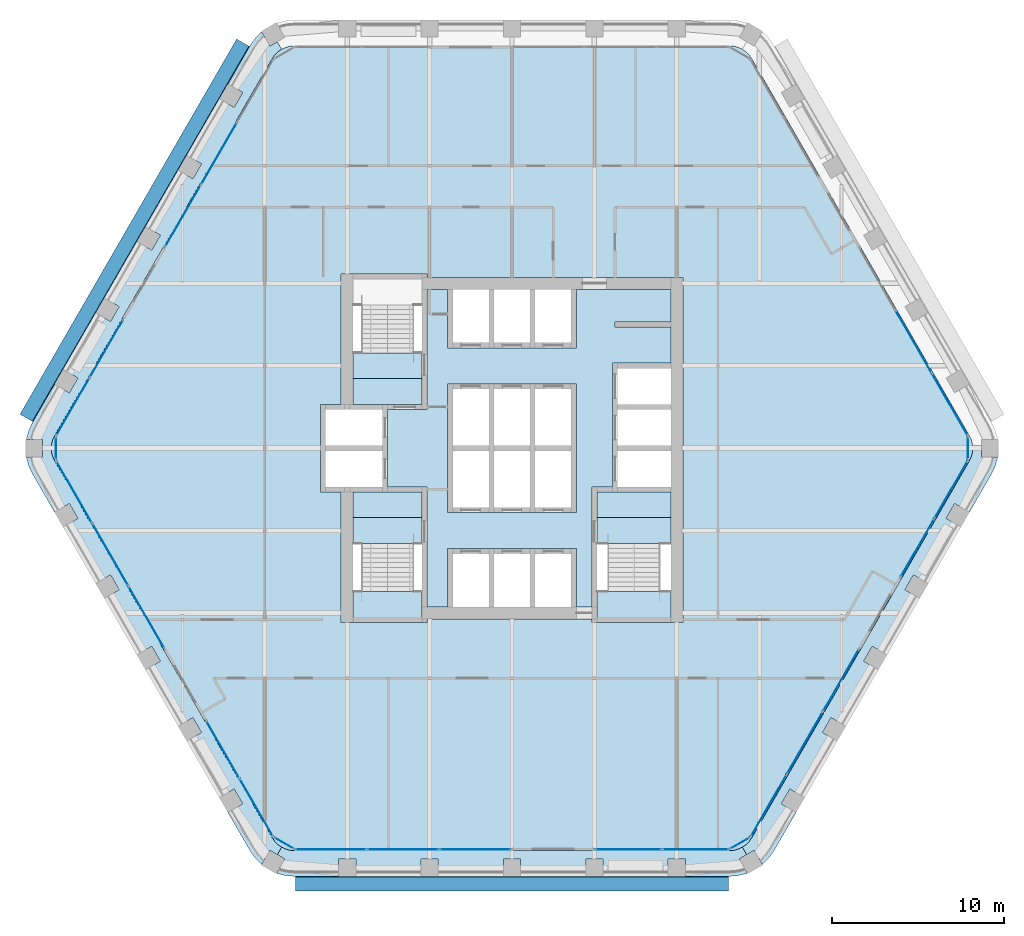
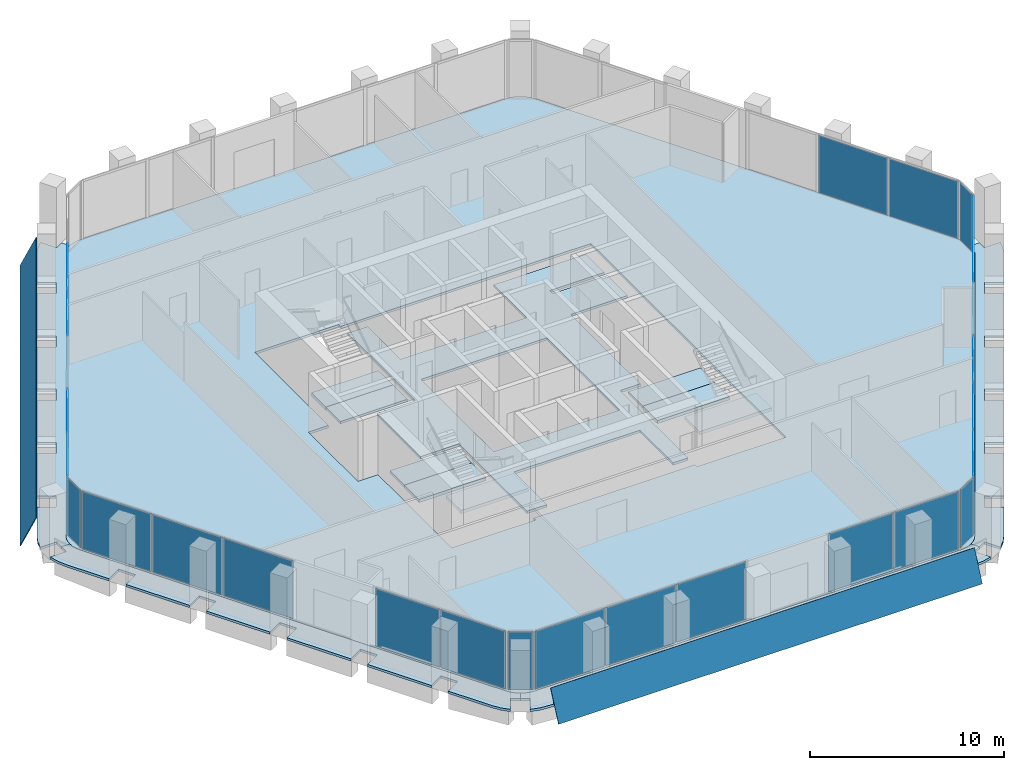
# One storey, part 7 of 15: 27 plates, 14 slabs, 16 elements without a shape of their own.
"""IFC4 building model written with IfcOpenShell, lengths in metres."""

import ifcopenshell
import ifcopenshell.guid

model = None  # the IFC model being written
_history = None  # IfcOwnerHistory: only IFC2X3 demands one
_inside = {}  # id of a spatial element -> (the spatial element, [elements in it])
_under = {}  # id of a project, library or spatial element -> (it, [spatial elements below it])
_declared = {}  # id of a project -> (the project, [libraries it declares])
_typed = {}  # id of a type object -> (the type object, [elements of that type])
_made_of = {}  # id of a material, layer set ... -> (it, [elements and type objects made of it])


def new_model(schema):
    """Start an empty IFC model of exactly this schema.

    Asked for "IFC4X3", IfcOpenShell would pick the latest addendum, in which some entities
    have other attributes; the version numbers below select the first issue.
    IFC2X3 requires an IfcOwnerHistory on every rooted entity: one is made here for all.
    """
    global model, _history
    if schema == "IFC4X3":
        model = ifcopenshell.file(schema_version=(4, 3, 0, 0))
    else:
        model = ifcopenshell.file(schema=schema)
    _inside.clear()
    _under.clear()
    _declared.clear()
    _typed.clear()
    _made_of.clear()
    _history = None
    if model.schema == "IFC2X3":
        org = make("IfcOrganization", Name="unknown")
        user = make(
            "IfcPersonAndOrganization",
            ThePerson=make("IfcPerson", FamilyName="unknown"),
            TheOrganization=org,
        )
        app = make(
            "IfcApplication",
            ApplicationDeveloper=org,
            Version="unknown",
            ApplicationFullName="unknown",
            ApplicationIdentifier="unknown",
        )
        _history = make(
            "IfcOwnerHistory",
            OwningUser=user,
            OwningApplication=app,
            ChangeAction="ADDED",
            CreationDate=0,
        )
    return model


def make(cls, **values):
    """One entity of the class cls with the attributes given. An attribute that is None is left unset."""
    return model.create_entity(
        cls, **{name: value for name, value in values.items() if value is not None}
    )


def rooted(cls, **values):
    """An entity with a GlobalId (a new one), such as an element, a storey or a relation."""
    return make(cls, GlobalId=ifcopenshell.guid.new(), OwnerHistory=_history, **values)


def si_unit(unit_type, name, prefix=None):
    """IfcSIUnit, for example si_unit("LENGTHUNIT", "METRE", prefix="MILLI")."""
    return make("IfcSIUnit", UnitType=unit_type, Prefix=prefix, Name=name)


def assignment(units):
    """IfcUnitAssignment: the units of a project."""
    return None if units is None else make("IfcUnitAssignment", Units=units)


def point(xyz):
    """IfcCartesianPoint."""
    return None if xyz is None else make("IfcCartesianPoint", Coordinates=xyz)


def direction(xyz):
    """IfcDirection."""
    return None if xyz is None else make("IfcDirection", DirectionRatios=xyz)


def frame(location, z_axis=None, x_axis=None):
    """IfcAxis2Placement3D, a coordinate frame: its origin and axes. An axis left out is left unset."""
    return make(
        "IfcAxis2Placement3D",
        Location=point(location),
        Axis=direction(z_axis),
        RefDirection=direction(x_axis),
    )


def frame_2d(location, x_axis=None):
    """IfcAxis2Placement2D, a coordinate frame in the plane: its origin and x axis."""
    return make(
        "IfcAxis2Placement2D", Location=point(location), RefDirection=direction(x_axis)
    )


def origin():
    """The frame at (0, 0, 0) with its axes left unset."""
    return frame((0.0, 0.0, 0.0))


def origin_2d():
    """The frame at (0, 0) in the plane with its x axis left unset."""
    return frame_2d((0.0, 0.0))


def place(relative_to, where):
    """IfcLocalPlacement: puts the frame where relative to a parent placement (None: the world)."""
    return make(
        "IfcLocalPlacement", PlacementRelTo=relative_to, RelativePlacement=where
    )


def context(
    kind, dimensions, precision=None, world=None, true_north=None, identifier=None
):
    """IfcGeometricRepresentationContext, for example the 3D "Model" context."""
    return make(
        "IfcGeometricRepresentationContext",
        ContextIdentifier=identifier,
        ContextType=kind,
        CoordinateSpaceDimension=dimensions,
        Precision=precision,
        WorldCoordinateSystem=world,
        TrueNorth=true_north,
    )


def subcontext(parent, identifier, kind, view, scale=None):
    """IfcGeometricRepresentationSubContext, for example "Body" below "Model"."""
    return make(
        "IfcGeometricRepresentationSubContext",
        ContextIdentifier=identifier,
        ContextType=kind,
        ParentContext=parent,
        TargetScale=scale,
        TargetView=view,
    )


def project(units=None, contexts=None):
    """IfcProject with its units and contexts."""
    return rooted(
        "IfcProject",
        Name="project",
        RepresentationContexts=contexts,
        UnitsInContext=assignment(units),
    )


def spatial(cls, under=None, at=None, **own):
    """A site, building, storey or space (cls), placed at a placement, below another one or the project."""
    s = rooted(cls, ObjectPlacement=at, **own)
    if under is not None:
        _under.setdefault(under.id(), (under, []))[1].append(s)
    return s


def polyline(points):
    """IfcPolyline through the points."""
    return make("IfcPolyline", Points=[point(p) for p in points])


def profile(cls, at=None, kind="AREA", **sizes):
    """A parametric profile (cls). Its sizes go by their IFC names, for example OverallWidth=200.0."""
    return make(cls, ProfileType=kind, Position=at, **sizes)


def rectangle(**sizes):
    """IfcRectangleProfileDef."""
    return profile("IfcRectangleProfileDef", **sizes)


def outline(outer, holes=None, kind="AREA"):
    """IfcArbitraryClosedProfileDef: a profile drawn as a closed curve; with holes, ...WithVoids."""
    if holes is None:
        return make("IfcArbitraryClosedProfileDef", ProfileType=kind, OuterCurve=outer)
    return make(
        "IfcArbitraryProfileDefWithVoids",
        ProfileType=kind,
        OuterCurve=outer,
        InnerCurves=holes,
    )


def extrude(swept, where, along, depth):
    """IfcExtrudedAreaSolid: the profile swept, set in the frame where, extruded along a direction by depth."""
    return make(
        "IfcExtrudedAreaSolid",
        SweptArea=swept,
        Position=where,
        ExtrudedDirection=direction(along),
        Depth=depth,
    )


def shape(context_of_items, identifier, shape_type, items):
    """IfcShapeRepresentation: the items that make up one representation, for example the "Body"."""
    return make(
        "IfcShapeRepresentation",
        ContextOfItems=context_of_items,
        RepresentationIdentifier=identifier,
        RepresentationType=shape_type,
        Items=items,
    )


def material(Name=None, Category=None):
    """IfcMaterial."""
    return make("IfcMaterial", Name=Name, Category=Category)


def layer(
    of_material, thickness, ventilated=None, Name=None, Category=None, Priority=None
):
    """IfcMaterialLayer: one layer of a wall or slab, of a material (None: an air gap)."""
    return make(
        "IfcMaterialLayer",
        Material=of_material,
        LayerThickness=thickness,
        IsVentilated=ventilated,
        Name=Name,
        Category=Category,
        Priority=Priority,
    )


def layer_set(layers, Name=None):
    """IfcMaterialLayerSet."""
    return make("IfcMaterialLayerSet", MaterialLayers=layers, LayerSetName=Name)


def made_of(thing, what):
    """Note that an element or type object is made of a material, layer set ...; save() writes the relation."""
    if what is not None:
        _made_of.setdefault(what.id(), (what, []))[1].append(thing)
    return thing


def type_object(cls, material=None, **own):
    """A type object (cls), such as IfcWallType, which elements share."""
    return made_of(rooted(cls, **own), material)


def element(
    cls,
    number,
    at=None,
    inside=None,
    cuts=None,
    type_object=None,
    material=None,
    context=None,
    identifier="Body",
    shape_type=None,
    held_by="IfcProductDefinitionShape",
    body=None,
    shapes=None,
    **own,
):
    """One element of the class cls, such as IfcWall. Its Tag is "e" and its number.

    at: its placement. inside: the storey or other place that contains it. cuts: it is an
    opening in that element (IfcRelVoidsElement). A single representation is given by context,
    identifier, shape_type and body (its items); several are given by shapes. held_by: the class
    of the entity that holds the representations. save() writes the other relations.
    """
    e = rooted(cls, Tag="e%d" % number, ObjectPlacement=at, **own)
    if body is not None:
        shapes = [shape(context, identifier, shape_type, body)]
    if shapes is not None:
        e.Representation = make(held_by, Representations=shapes)
    if inside is not None:
        _inside.setdefault(inside.id(), (inside, []))[1].append(e)
    if cuts is not None:
        rooted(
            "IfcRelVoidsElement", RelatingBuildingElement=cuts, RelatedOpeningElement=e
        )
    if type_object is not None:
        _typed.setdefault(type_object.id(), (type_object, []))[1].append(e)
    return made_of(e, material)


def aggregate(whole, parts):
    """IfcRelAggregates: a whole, such as a stair, and the parts it consists of."""
    return rooted("IfcRelAggregates", RelatingObject=whole, RelatedObjects=parts)


def save(model, path):
    """Write the relations noted so far, then the file.

    IfcRelAggregates (storeys below a building ...), IfcRelContainedInSpatialStructure (elements
    in a storey), IfcRelDefinesByType, IfcRelAssociatesMaterial and IfcRelDeclares: one each for
    every whole, place, type object, material and project.
    """
    for whole, parts in _under.values():
        aggregate(whole, parts)
    for where, things in _inside.values():
        rooted(
            "IfcRelContainedInSpatialStructure",
            RelatedElements=things,
            RelatingStructure=where,
        )
    for kind, things in _typed.values():
        rooted("IfcRelDefinesByType", RelatedObjects=things, RelatingType=kind)
    for what, things in _made_of.values():
        rooted("IfcRelAssociatesMaterial", RelatedObjects=things, RelatingMaterial=what)
    for by, libraries in _declared.values():
        rooted("IfcRelDeclares", RelatingContext=by, RelatedDefinitions=libraries)
    model.write(path)


model = new_model("IFC4")

# Units and contexts
model_context = context("Model", 3, precision=1e-05, world=origin(), true_north=direction((0.0, 1.0)))
body_context = subcontext(model_context, "Body", "Model", "MODEL_VIEW")
ifc_project = project(units=[si_unit("LENGTHUNIT", "METRE"), si_unit("AREAUNIT", "SQUARE_METRE"), si_unit("VOLUMEUNIT", "CUBIC_METRE"), si_unit("PLANEANGLEUNIT", "RADIAN"), si_unit("MASSUNIT", "GRAM", prefix="KILO")], contexts=[model_context])

# Site, building, storey
site_placement = place(None, origin())
site = spatial("IfcSite", under=ifc_project, at=site_placement, CompositionType="ELEMENT")
building_placement = place(site_placement, origin())
building = spatial("IfcBuilding", under=site, at=building_placement, Name="Kolab Exchange Tower", CompositionType="ELEMENT")
storey_placement = place(building_placement, frame((0.0, 0.0, 158.300048828125)))
storey = spatial("IfcBuildingStorey", under=building, at=storey_placement, Name="L32", CompositionType="ELEMENT", Elevation=158.300048828125)

# Slabs
ifc_material_1 = material(Name="Concrete C35/45", Category="concrete")
ifc_layer_1 = layer(ifc_material_1, 0.14990234375)
ifc_layer_set_1 = layer_set([ifc_layer_1], Name="Concrete C35/45")
slab_type_1 = type_object("IfcSlabType", Name="FLOOR SLAB 150", PredefinedType="FLOOR", material=ifc_layer_set_1)
slab_1_placement = place(storey_placement, frame((0.0, 0.0, -0.150146484375)))
element("IfcSlab", 1, at=slab_1_placement, inside=storey, type_object=slab_type_1, Name="slab/L32/floor/0", PredefinedType="FLOOR", context=body_context, shape_type="SweptSolid", body=[
    extrude(outline(polyline([(13.967041015625, -22.691650390625), (26.635009765625, -0.75), (26.745361328125, -0.512939453125), (26.81298828125, -0.260498046875), (26.8359375, 0.0), (26.81298828125, 0.260498046875), (26.745361328125, 0.512939453125), (26.635009765625, 0.75), (13.967041015625, 22.691650390625), (13.81689453125, 22.90576171875), (13.632080078125, 23.090576171875), (13.41796875, 23.240478515625), (13.180908203125, 23.35107421875), (12.928466796875, 23.418701171875), (12.66796875, 23.441650390625), (-12.66796875, 23.441650390625), (-12.928466796875, 23.418701171875), (-13.180908203125, 23.35107421875), (-13.41796875, 23.240478515625), (-13.632080078125, 23.090576171875), (-13.81689453125, 22.90576171875), (-13.967041015625, 22.691650390625), (-26.635009765625, 0.75), (-26.745361328125, 0.512939453125), (-26.81298828125, 0.260498046875), (-26.8359375, 0.0), (-26.81298828125, -0.260498046875), (-26.745361328125, -0.512939453125), (-26.635009765625, -0.75), (-13.967041015625, -22.691650390625), (-13.81689453125, -22.90576171875), (-13.632080078125, -23.090576171875), (-13.41796875, -23.240478515625), (-13.180908203125, -23.35107421875), (-12.928466796875, -23.418701171875), (-12.66796875, -23.441650390625), (12.66796875, -23.441650390625), (12.928466796875, -23.418701171875), (13.180908203125, -23.35107421875), (13.41796875, -23.240478515625), (13.632080078125, -23.090576171875), (13.81689453125, -22.90576171875), (13.967041015625, -22.691650390625)]), holes=[polyline([(-9.25, -10.14990234375), (-9.949951171875, -10.14990234375), (-9.949951171875, -2.550048828125), (-10.85009765625, -2.550048828125), (-11.14990234375, -2.550048828125), (-11.14990234375, 2.550048828125), (-10.85009765625, 2.550048828125), (-9.949951171875, 2.550048828125), (-9.949951171875, 10.14990234375), (-9.25, 10.14990234375), (-5.25, 10.14990234375), (-4.949951171875, 10.14990234375), (-4.949951171875, 9.949951171875), (9.25, 9.949951171875), (9.949951171875, 9.949951171875), (9.949951171875, -10.14990234375), (9.25, -10.14990234375), (4.949951171875, -10.14990234375), (4.64990234375, -10.14990234375), (4.64990234375, -9.949951171875), (-4.949951171875, -9.949951171875), (-4.949951171875, -10.14990234375), (-5.25, -10.14990234375), (-9.25, -10.14990234375)])]), origin(), (0.0, 0.0, 1.0), 0.150146484375),
])
slab_2_placement = place(storey_placement, frame((0.0, 0.0, -0.150146484375)))
element("IfcSlab", 2, at=slab_2_placement, inside=storey, type_object=slab_type_1, Name="slab/L32/floor/1", PredefinedType="FLOOR", context=body_context, shape_type="SweptSolid", body=[
    extrude(outline(polyline([(-4.949951171875, 9.25), (-4.949951171875, 2.25), (-5.25, 2.25), (-7.25, 2.25), (-7.25, -2.25), (-5.25, -2.25), (-4.949951171875, -2.25), (-4.949951171875, -9.25), (-3.75, -9.25), (-3.75, -5.85009765625), (-3.449951171875, -5.85009765625), (-1.35009765625, -5.85009765625), (-1.050048828125, -5.85009765625), (1.050048828125, -5.85009765625), (1.35009765625, -5.85009765625), (3.449951171875, -5.85009765625), (3.75, -5.85009765625), (3.75, -9.25), (4.64990234375, -9.25), (4.64990234375, -2.25), (4.949951171875, -2.25), (5.85009765625, -2.25), (5.85009765625, 4.949951171875), (6.14990234375, 4.949951171875), (9.25, 4.949951171875), (9.25, 7.050048828125), (6.0, 7.050048828125), (6.0, 7.35009765625), (9.25, 7.35009765625), (9.25, 9.25), (3.75, 9.25), (3.75, 5.85009765625), (3.449951171875, 5.85009765625), (1.35009765625, 5.85009765625), (1.050048828125, 5.85009765625), (-1.050048828125, 5.85009765625), (-1.35009765625, 5.85009765625), (-3.449951171875, 5.85009765625), (-3.75, 5.85009765625), (-3.75, 9.25), (-4.949951171875, 9.25)]), holes=[polyline([(-3.449951171875, -3.75), (-3.75, -3.75), (-3.75, 3.75), (-3.449951171875, 3.75), (-1.35009765625, 3.75), (-1.050048828125, 3.75), (1.050048828125, 3.75), (1.35009765625, 3.75), (3.449951171875, 3.75), (3.75, 3.75), (3.75, -3.75), (3.449951171875, -3.75), (1.35009765625, -3.75), (1.050048828125, -3.75), (-1.050048828125, -3.75), (-1.35009765625, -3.75), (-3.449951171875, -3.75)])]), origin(), (0.0, 0.0, 1.0), 0.150146484375),
])
slab_3_placement = place(storey_placement, frame((0.0, 0.0, -0.150146484375)))
element("IfcSlab", 3, at=slab_3_placement, inside=storey, type_object=slab_type_1, Name="slab/L32/floor/2", PredefinedType="FLOOR", context=body_context, shape_type="SweptSolid", body=[
    extrude(outline(polyline([(4.949951171875, -4.050048828125), (9.25, -4.050048828125), (9.25, -2.550048828125), (6.14990234375, -2.550048828125), (5.85009765625, -2.550048828125), (4.949951171875, -2.550048828125), (4.949951171875, -4.050048828125)])), origin(), (0.0, 0.0, 1.0), 0.150146484375),
])
slab_4_placement = place(storey_placement, frame((0.0, 0.0, -0.150146484375)))
element("IfcSlab", 4, at=slab_4_placement, inside=storey, type_object=slab_type_1, Name="slab/L32/floor/3", PredefinedType="FLOOR", context=body_context, shape_type="SweptSolid", body=[
    extrude(outline(polyline([(-7.550048828125, -2.550048828125), (-9.25, -2.550048828125), (-9.25, -4.050048828125), (-5.25, -4.050048828125), (-5.25, -2.550048828125), (-7.25, -2.550048828125), (-7.550048828125, -2.550048828125)])), origin(), (0.0, 0.0, 1.0), 0.150146484375),
])
slab_5_placement = place(storey_placement, frame((0.0, 0.0, -0.150146484375)))
element("IfcSlab", 5, at=slab_5_placement, inside=storey, type_object=slab_type_1, Name="slab/L32/floor/4", PredefinedType="FLOOR", context=body_context, shape_type="SweptSolid", body=[
    extrude(outline(polyline([(-9.25, 2.550048828125), (-7.550048828125, 2.550048828125), (-7.25, 2.550048828125), (-5.25, 2.550048828125), (-5.25, 4.050048828125), (-9.25, 4.050048828125), (-9.25, 2.550048828125)])), origin(), (0.0, 0.0, 1.0), 0.150146484375),
])
ifc_layer_2 = layer(ifc_material_1, 0.14990234375)
ifc_layer_set_2 = layer_set([ifc_layer_2], Name="Concrete C35/45")
slab_type_2 = type_object("IfcSlabType", Name="LOGGIA SLAB 150", PredefinedType="FLOOR", material=ifc_layer_set_2)
slab_6_placement = place(storey_placement, frame((0.0, 0.0, -0.150146484375)))
element("IfcSlab", 6, at=slab_6_placement, inside=storey, type_object=slab_type_2, Name="slab/L32/loggia/2-0", PredefinedType="FLOOR", context=body_context, shape_type="SweptSolid", body=[
    extrude(outline(polyline([(15.26611328125, -23.441650390625), (16.550048828125, -21.217529296875), (15.68408203125, -20.717529296875), (16.18408203125, -19.8515625), (17.050048828125, -20.3515625), (18.949951171875, -17.060791015625), (18.083984375, -16.560791015625), (18.583984375, -15.694580078125), (19.449951171875, -16.194580078125), (21.35009765625, -12.90380859375), (20.48388671875, -12.40380859375), (20.98388671875, -11.537841796875), (21.85009765625, -12.037841796875), (23.75, -8.746826171875), (22.884033203125, -8.246826171875), (23.384033203125, -7.380859375), (24.25, -7.880859375), (26.14990234375, -4.58984375), (25.283935546875, -4.08984375), (25.783935546875, -3.223876953125), (26.64990234375, -3.723876953125), (27.93408203125, -1.5), (28.155029296875, -1.026123046875), (28.290283203125, -0.52099609375), (28.292236328125, -0.5), (27.3359375, -0.5), (27.3359375, 0.0), (26.8359375, 0.0), (26.81298828125, -0.260498046875), (26.745361328125, -0.512939453125), (26.635009765625, -0.75), (13.967041015625, -22.691650390625), (13.81689453125, -22.90576171875), (13.632080078125, -23.090576171875), (13.41796875, -23.240478515625), (13.66796875, -23.673583984375), (14.10107421875, -23.423583984375), (14.5791015625, -24.251708984375), (14.59619140625, -24.23974609375), (14.966064453125, -23.869873046875), (15.26611328125, -23.441650390625)])), origin(), (0.0, 0.0, 1.0), 0.150146484375),
])
slab_7_placement = place(storey_placement, frame((0.0, 0.0, -0.150146484375)))
element("IfcSlab", 7, at=slab_7_placement, inside=storey, type_object=slab_type_2, Name="slab/L32/loggia/3-0", PredefinedType="FLOOR", context=body_context, shape_type="SweptSolid", body=[
    extrude(outline(polyline([(-13.41796875, -23.240478515625), (-13.66796875, -23.673583984375), (-13.23486328125, -23.923583984375), (-13.713134765625, -24.751708984375), (-13.694091796875, -24.760498046875), (-13.18896484375, -24.89599609375), (-12.66796875, -24.941650390625), (-10.10009765625, -24.941650390625), (-10.10009765625, -23.941650390625), (-9.10009765625, -23.941650390625), (-9.10009765625, -24.941650390625), (-5.300048828125, -24.941650390625), (-5.300048828125, -23.941650390625), (-4.300048828125, -23.941650390625), (-4.300048828125, -24.941650390625), (-0.5, -24.941650390625), (-0.5, -23.941650390625), (0.5, -23.941650390625), (0.5, -24.941650390625), (4.300048828125, -24.941650390625), (4.300048828125, -23.941650390625), (5.300048828125, -23.941650390625), (5.300048828125, -24.941650390625), (9.10009765625, -24.941650390625), (9.10009765625, -23.941650390625), (10.10009765625, -23.941650390625), (10.10009765625, -24.941650390625), (12.66796875, -24.941650390625), (13.18896484375, -24.89599609375), (13.694091796875, -24.760498046875), (13.713134765625, -24.751708984375), (13.23486328125, -23.923583984375), (13.66796875, -23.673583984375), (13.41796875, -23.240478515625), (13.180908203125, -23.35107421875), (12.928466796875, -23.418701171875), (12.66796875, -23.441650390625), (-12.66796875, -23.441650390625), (-12.928466796875, -23.418701171875), (-13.180908203125, -23.35107421875), (-13.41796875, -23.240478515625)])), origin(), (0.0, 0.0, 1.0), 0.150146484375),
])
slab_8_placement = place(storey_placement, frame((0.0, 0.0, -0.150146484375)))
element("IfcSlab", 8, at=slab_8_placement, inside=storey, type_object=slab_type_2, Name="slab/L32/loggia/4-0", PredefinedType="FLOOR", context=body_context, shape_type="SweptSolid", body=[
    extrude(outline(polyline([(-26.8359375, 0.0), (-27.3359375, 0.0), (-27.3359375, -0.5), (-28.292236328125, -0.5), (-28.290283203125, -0.52099609375), (-28.155029296875, -1.026123046875), (-27.93408203125, -1.5), (-26.64990234375, -3.723876953125), (-25.783935546875, -3.223876953125), (-25.283935546875, -4.08984375), (-26.14990234375, -4.58984375), (-24.25, -7.880859375), (-23.384033203125, -7.380859375), (-22.884033203125, -8.246826171875), (-23.75, -8.746826171875), (-21.85009765625, -12.037841796875), (-20.98388671875, -11.537841796875), (-20.48388671875, -12.40380859375), (-21.35009765625, -12.90380859375), (-19.449951171875, -16.194580078125), (-18.583984375, -15.694580078125), (-18.083984375, -16.560791015625), (-18.949951171875, -17.060791015625), (-17.050048828125, -20.3515625), (-16.18408203125, -19.8515625), (-15.68408203125, -20.717529296875), (-16.550048828125, -21.217529296875), (-15.26611328125, -23.441650390625), (-14.966064453125, -23.869873046875), (-14.59619140625, -24.23974609375), (-14.5791015625, -24.251708984375), (-14.10107421875, -23.423583984375), (-13.66796875, -23.673583984375), (-13.41796875, -23.240478515625), (-13.632080078125, -23.090576171875), (-13.81689453125, -22.90576171875), (-13.967041015625, -22.691650390625), (-26.635009765625, -0.75), (-26.745361328125, -0.512939453125), (-26.81298828125, -0.260498046875), (-26.8359375, 0.0)])), origin(), (0.0, 0.0, 1.0), 0.150146484375),
])
slab_9_placement = place(storey_placement, frame((0.0, 0.0, -0.150146484375)))
element("IfcSlab", 9, at=slab_9_placement, inside=storey, type_object=slab_type_2, Name="slab/L32/loggia/5-0", PredefinedType="FLOOR", context=body_context, shape_type="SweptSolid", body=[
    extrude(outline(polyline([(-13.41796875, 23.240478515625), (-13.66796875, 23.673583984375), (-14.10107421875, 23.423583984375), (-14.5791015625, 24.251708984375), (-14.59619140625, 24.23974609375), (-14.966064453125, 23.869873046875), (-15.26611328125, 23.441650390625), (-16.550048828125, 21.217529296875), (-15.68408203125, 20.717529296875), (-16.18408203125, 19.8515625), (-17.050048828125, 20.3515625), (-18.949951171875, 17.060791015625), (-18.083984375, 16.560791015625), (-18.583984375, 15.694580078125), (-19.449951171875, 16.194580078125), (-21.35009765625, 12.90380859375), (-20.48388671875, 12.40380859375), (-20.98388671875, 11.537841796875), (-21.85009765625, 12.037841796875), (-23.75, 8.746826171875), (-22.884033203125, 8.246826171875), (-23.384033203125, 7.380859375), (-24.25, 7.880859375), (-26.14990234375, 4.58984375), (-25.283935546875, 4.08984375), (-25.783935546875, 3.223876953125), (-26.64990234375, 3.723876953125), (-27.93408203125, 1.5), (-28.155029296875, 1.026123046875), (-28.290283203125, 0.52099609375), (-28.292236328125, 0.5), (-27.3359375, 0.5), (-27.3359375, 0.0), (-26.8359375, 0.0), (-26.81298828125, 0.260498046875), (-26.745361328125, 0.512939453125), (-26.635009765625, 0.75), (-13.967041015625, 22.691650390625), (-13.81689453125, 22.90576171875), (-13.632080078125, 23.090576171875), (-13.41796875, 23.240478515625)])), origin(), (0.0, 0.0, 1.0), 0.150146484375),
])

# Plates
ifc_material_2 = material(Name="Laminated glass, clear", Category="glass")
ifc_layer_3 = layer(ifc_material_2, 0.0400390625)
ifc_layer_set_3 = layer_set([ifc_layer_3], Name="Laminated glass, clear")
plate_type_1 = type_object("IfcPlateType", Name="OUTER SKIN LAMINATED GLASS SHEET 40", PredefinedType="SHEET", material=ifc_layer_set_3)
plate_1_placement = place(storey_placement, frame((12.617919921875, -25.806640625, -0.68310546875), z_axis=(0.0, -0.90629442354, 0.42264691867), x_axis=(-1.0, 0.0, 0.0)))
element("IfcPlate", 10, at=plate_1_placement, inside=storey, type_object=plate_type_1, Name="Outer skin", PredefinedType="SHEET", context=body_context, shape_type="SweptSolid", body=[
    extrude(outline(polyline([(0.0, 0.0), (25.23583984375, 0.0), (25.23583984375, -1.9611107647099728), (0.0, -1.9611107647099728), (0.0, 0.0)])), origin(), (0.0, 0.0, -1.0), 0.0400390625),
])
plate_2_placement = place(storey_placement, frame((-28.658203125, 1.975830078125, -0.68310546875), z_axis=(-0.784879402523, 0.453150748855, 0.422633082363), x_axis=(0.49999996891, 0.866025421734, -9.26397e-07)))
element("IfcPlate", 11, at=plate_2_placement, inside=storey, type_object=plate_type_1, Name="Outer skin", PredefinedType="SHEET", context=body_context, shape_type="SweptSolid", body=[
    extrude(outline(polyline([(0.0, 0.0), (25.235928246078725, 0.0), (25.235801780826137, -1.9611225980101963), (8.496673513867198e-05, -1.9610710072384852), (0.0, 0.0)])), origin(), (0.0, 0.0, -1.0), 0.0400390625),
])

# Stair, slab
ifc_material_3 = material(Name="Concrete C50/60", Category="concrete")
stair_type_1 = type_object("IfcStairType", Name="STAIR ST1 RISER 177.3", PredefinedType="HALF_TURN_STAIR", material=ifc_material_3)
stair_1_placement = place(storey_placement, origin())
stair_1 = element("IfcStair", 12, at=stair_1_placement, inside=storey, type_object=stair_type_1, Name="Stair 1", PredefinedType="HALF_TURN_STAIR")
ifc_layer_4 = layer(ifc_material_3, 0.199951171875)
ifc_layer_set_4 = layer_set([ifc_layer_4], Name="Concrete C50/60")
slab_type_3 = type_object("IfcSlabType", Name="STAIR LANDING 200", PredefinedType="LANDING", material=ifc_layer_set_4)
slab_10_placement = place(storey_placement, frame((0.0, 0.0, -0.199951171875)))
slab_10 = element("IfcSlab", 13, at=slab_10_placement, type_object=slab_type_3, Name="ST1 landing 1", PredefinedType="LANDING", context=body_context, shape_type="SweptSolid", body=[
    extrude(outline(polyline([(-9.25, 4.050048828125), (-5.25, 4.050048828125), (-5.25, 5.550048828125), (-9.25, 5.550048828125), (-9.25, 4.050048828125)])), origin(), (0.0, 0.0, 1.0), 0.199951171875),
])
aggregate(stair_1, [slab_10])

# Stair, slabs
stair_type_2 = type_object("IfcStairType", Name="STAIR ST3 RISER 177.3", PredefinedType="HALF_TURN_STAIR", material=ifc_material_3)
stair_2_placement = place(storey_placement, origin())
stair_2 = element("IfcStair", 14, at=stair_2_placement, inside=storey, type_object=stair_type_2, Name="Stair 3", PredefinedType="HALF_TURN_STAIR")
slab_11_placement = place(storey_placement, frame((0.0, 0.0, -0.199951171875)))
slab_11 = element("IfcSlab", 15, at=slab_11_placement, type_object=slab_type_3, Name="ST3 landing 1", PredefinedType="LANDING", context=body_context, shape_type="SweptSolid", body=[
    extrude(outline(polyline([(-9.25, -5.550048828125), (-5.25, -5.550048828125), (-5.25, -4.050048828125), (-9.25, -4.050048828125), (-9.25, -5.550048828125)])), origin(), (0.0, 0.0, 1.0), 0.199951171875),
])
slab_12_placement = place(storey_placement, frame((0.0, 0.0, 1.75)))
slab_12 = element("IfcSlab", 16, at=slab_12_placement, type_object=slab_type_3, Name="ST3 landing 2", PredefinedType="LANDING", context=body_context, shape_type="SweptSolid", body=[
    extrude(outline(polyline([(-9.25, -9.909912109375), (-5.25, -9.909912109375), (-5.25, -8.35009765625), (-9.25, -8.35009765625), (-9.25, -9.909912109375)])), origin(), (0.0, 0.0, 1.0), 0.199951171875),
])
aggregate(stair_2, [slab_11, slab_12])

stair_type_3 = type_object("IfcStairType", Name="STAIR ST2 RISER 177.3", PredefinedType="HALF_TURN_STAIR", material=ifc_material_3)
stair_3_placement = place(storey_placement, origin())
stair_3 = element("IfcStair", 17, at=stair_3_placement, inside=storey, type_object=stair_type_3, Name="Stair 2", PredefinedType="HALF_TURN_STAIR")
slab_13_placement = place(storey_placement, frame((0.0, 0.0, -0.199951171875)))
slab_13 = element("IfcSlab", 18, at=slab_13_placement, type_object=slab_type_3, Name="ST2 landing 1", PredefinedType="LANDING", context=body_context, shape_type="SweptSolid", body=[
    extrude(outline(polyline([(4.949951171875, -5.550048828125), (9.25, -5.550048828125), (9.25, -4.050048828125), (4.949951171875, -4.050048828125), (4.949951171875, -5.550048828125)])), origin(), (0.0, 0.0, 1.0), 0.199951171875),
])
slab_14_placement = place(storey_placement, frame((0.0, 0.0, 1.75)))
slab_14 = element("IfcSlab", 19, at=slab_14_placement, type_object=slab_type_3, Name="ST2 landing 2", PredefinedType="LANDING", context=body_context, shape_type="SweptSolid", body=[
    extrude(outline(polyline([(4.949951171875, -9.909912109375), (9.25, -9.909912109375), (9.25, -8.35009765625), (4.949951171875, -8.35009765625), (4.949951171875, -9.909912109375)])), origin(), (0.0, 0.0, 1.0), 0.199951171875),
])
aggregate(stair_3, [slab_13, slab_14])

# Curtain wall, plates
ifc_material_4 = material(Name="Aluminium EN AW-6063 T6", Category="aluminium")
curtain_wall_type = type_object("IfcCurtainWallType", Name="UNITISED UPPER MID ZONE CURTAIN WALL", PredefinedType="NOTDEFINED", material=ifc_material_4)
curtain_wall_1_placement = place(storey_placement, origin())
curtain_wall_1 = element("IfcCurtainWall", 20, at=curtain_wall_1_placement, inside=storey, type_object=curtain_wall_type, Name="cw/L32/F2-2", PredefinedType="NOTDEFINED")
ifc_material_5 = material(Name="Clear insulated glazing unit", Category="glass")
ifc_layer_5 = layer(ifc_material_5, 0.028076171875)
ifc_layer_set_5 = layer_set([ifc_layer_5], Name="Clear insulated glazing unit")
plate_type_2 = type_object("IfcPlateType", Name="UNITISED UPPER MID ZONE GLASS PANEL 28", PredefinedType="CURTAIN_PANEL", material=ifc_layer_set_5)
plate_3_placement = place(storey_placement, frame((23.398681640625, 6.1953125, 0.06005859375), z_axis=(0.0, 0.0, 1.0), x_axis=(0.499999958358, -0.866025427826, 0.0)))
plate_3 = element("IfcPlate", 21, at=plate_3_placement, type_object=plate_type_2, Name="CW3 panel 2.1", PredefinedType="CURTAIN_PANEL", context=body_context, shape_type="SweptSolid", body=[
    extrude(rectangle(XDim=4.16259765625, YDim=0.028076171875, at=origin_2d()), origin(), (0.0, 0.0, 1.0), 3.6298828125),
])
plate_4_placement = place(storey_placement, frame((25.50244140625, 2.551513671875, 0.06005859375), z_axis=(0.0, 0.0, 1.0), x_axis=(0.499999958358, -0.866025427826, 0.0)))
plate_4 = element("IfcPlate", 22, at=plate_4_placement, type_object=plate_type_2, Name="CW3 panel 3.1", PredefinedType="CURTAIN_PANEL", context=body_context, shape_type="SweptSolid", body=[
    extrude(rectangle(XDim=4.132568359375, YDim=0.028076171875, at=origin_2d()), origin(), (0.0, 0.0, 1.0), 3.6298828125),
])
aggregate(curtain_wall_1, [plate_3, plate_4])

curtain_wall_2_placement = place(storey_placement, origin())
curtain_wall_2 = element("IfcCurtainWall", 23, at=curtain_wall_2_placement, inside=storey, type_object=curtain_wall_type, Name="cw/L32/F3-1", PredefinedType="NOTDEFINED")
plate_5_placement = place(storey_placement, frame((25.57470703125, -2.426513671875, 0.06005859375), z_axis=(0.0, 0.0, 1.0), x_axis=(-0.499999936366, -0.866025440524, 0.0)))
plate_5 = element("IfcPlate", 24, at=plate_5_placement, type_object=plate_type_2, Name="CW3 panel 1.1", PredefinedType="CURTAIN_PANEL", context=body_context, shape_type="SweptSolid", body=[
    extrude(rectangle(XDim=3.843994140625, YDim=0.028076171875, at=origin_2d()), origin(), (0.0, 0.0, 1.0), 3.6298828125),
])
plate_6_placement = place(storey_placement, frame((23.62255859375, -5.807373046875, 0.06005859375), z_axis=(0.0, 0.0, 1.0), x_axis=(-0.499999936366, -0.866025440524, 0.0)))
plate_6 = element("IfcPlate", 25, at=plate_6_placement, type_object=plate_type_2, Name="CW3 panel 2.1", PredefinedType="CURTAIN_PANEL", context=body_context, shape_type="SweptSolid", body=[
    extrude(rectangle(XDim=3.843994140625, YDim=0.028076171875, at=origin_2d()), origin(), (0.0, 0.0, 1.0), 3.6298828125),
])
aggregate(curtain_wall_2, [plate_5, plate_6])

curtain_wall_3_placement = place(storey_placement, origin())
curtain_wall_3 = element("IfcCurtainWall", 26, at=curtain_wall_3_placement, inside=storey, type_object=curtain_wall_type, Name="cw/L32/F3-2", PredefinedType="NOTDEFINED")
plate_7_placement = place(storey_placement, frame((19.16845703125, -13.522216796875, 0.06005859375), z_axis=(0.0, 0.0, 1.0), x_axis=(-0.500000017564, -0.866025393644, 0.0)))
plate_7 = element("IfcPlate", 27, at=plate_7_placement, type_object=plate_type_2, Name="CW3 panel 1.1", PredefinedType="CURTAIN_PANEL", context=body_context, shape_type="SweptSolid", body=[
    extrude(rectangle(XDim=4.132568359375, YDim=0.028076171875, at=origin_2d()), origin(), (0.0, 0.0, 1.0), 3.6298828125),
])
plate_8_placement = place(storey_placement, frame((17.064697265625, -17.166259765625, 0.06005859375), z_axis=(0.0, 0.0, 1.0), x_axis=(-0.500000017564, -0.866025393644, 0.0)))
plate_8 = element("IfcPlate", 28, at=plate_8_placement, type_object=plate_type_2, Name="CW3 panel 2.1", PredefinedType="CURTAIN_PANEL", context=body_context, shape_type="SweptSolid", body=[
    extrude(rectangle(XDim=4.16259765625, YDim=0.028076171875, at=origin_2d()), origin(), (0.0, 0.0, 1.0), 3.6298828125),
])
plate_9_placement = place(storey_placement, frame((14.9609375, -20.81005859375, 0.06005859375), z_axis=(0.0, 0.0, 1.0), x_axis=(-0.500000017564, -0.866025393644, 0.0)))
plate_9 = element("IfcPlate", 29, at=plate_9_placement, type_object=plate_type_2, Name="CW3 panel 3.1", PredefinedType="CURTAIN_PANEL", context=body_context, shape_type="SweptSolid", body=[
    extrude(rectangle(XDim=4.132568359375, YDim=0.028076171875, at=origin_2d()), origin(), (0.0, 0.0, 1.0), 3.6298828125),
])
aggregate(curtain_wall_3, [plate_7, plate_8, plate_9])

curtain_wall_4_placement = place(storey_placement, origin())
curtain_wall_4 = element("IfcCurtainWall", 30, at=curtain_wall_4_placement, inside=storey, type_object=curtain_wall_type, Name="cw/L32/F4-1", PredefinedType="NOTDEFINED")
plate_10_placement = place(storey_placement, frame((10.68603515625, -23.361572265625, 0.06005859375), z_axis=(0.0, 0.0, 1.0), x_axis=(-1.0, 0.0, 0.0)))
plate_10 = element("IfcPlate", 31, at=plate_10_placement, type_object=plate_type_2, Name="CW3 panel 1.1", PredefinedType="CURTAIN_PANEL", context=body_context, shape_type="SweptSolid", body=[
    extrude(rectangle(XDim=3.843994140625, YDim=0.028076171875, at=origin_2d()), origin(), (0.0, 0.0, 1.0), 3.6298828125),
])
plate_11_placement = place(storey_placement, frame((6.781982421875, -23.361572265625, 0.06005859375), z_axis=(0.0, 0.0, 1.0), x_axis=(-1.0, 0.0, 0.0)))
plate_11 = element("IfcPlate", 32, at=plate_11_placement, type_object=plate_type_2, Name="CW3 panel 2.1", PredefinedType="CURTAIN_PANEL", context=body_context, shape_type="SweptSolid", body=[
    extrude(rectangle(XDim=3.843994140625, YDim=0.028076171875, at=origin_2d()), origin(), (0.0, 0.0, 1.0), 3.6298828125),
])
aggregate(curtain_wall_4, [plate_10, plate_11])

curtain_wall_5_placement = place(storey_placement, origin())
curtain_wall_5 = element("IfcCurtainWall", 33, at=curtain_wall_5_placement, inside=storey, type_object=curtain_wall_type, Name="cw/L32/F4-2", PredefinedType="NOTDEFINED")
plate_12_placement = place(storey_placement, frame((-2.126220703125, -23.361572265625, 0.06005859375), z_axis=(0.0, 0.0, 1.0), x_axis=(-1.0, 0.0, 0.0)))
plate_12 = element("IfcPlate", 34, at=plate_12_placement, type_object=plate_type_2, Name="CW3 panel 1.1", PredefinedType="CURTAIN_PANEL", context=body_context, shape_type="SweptSolid", body=[
    extrude(rectangle(XDim=4.132568359375, YDim=0.028076171875, at=origin_2d()), origin(), (0.0, 0.0, 1.0), 3.6298828125),
])
plate_13_placement = place(storey_placement, frame((-6.333984375, -23.361572265625, 0.06005859375), z_axis=(0.0, 0.0, 1.0), x_axis=(-1.0, 0.0, 0.0)))
plate_13 = element("IfcPlate", 35, at=plate_13_placement, type_object=plate_type_2, Name="CW3 panel 2.1", PredefinedType="CURTAIN_PANEL", context=body_context, shape_type="SweptSolid", body=[
    extrude(rectangle(XDim=4.16259765625, YDim=0.028076171875, at=origin_2d()), origin(), (0.0, 0.0, 1.0), 3.6298828125),
])
plate_14_placement = place(storey_placement, frame((-10.54150390625, -23.361572265625, 0.06005859375), z_axis=(0.0, 0.0, 1.0), x_axis=(-1.0, 0.0, 0.0)))
plate_14 = element("IfcPlate", 36, at=plate_14_placement, type_object=plate_type_2, Name="CW3 panel 3.1", PredefinedType="CURTAIN_PANEL", context=body_context, shape_type="SweptSolid", body=[
    extrude(rectangle(XDim=4.132568359375, YDim=0.028076171875, at=origin_2d()), origin(), (0.0, 0.0, 1.0), 3.6298828125),
])
aggregate(curtain_wall_5, [plate_12, plate_13, plate_14])

curtain_wall_6_placement = place(storey_placement, origin())
curtain_wall_6 = element("IfcCurtainWall", 37, at=curtain_wall_6_placement, inside=storey, type_object=curtain_wall_type, Name="cw/L32/F5-1", PredefinedType="NOTDEFINED")
plate_15_placement = place(storey_placement, frame((-14.888671875, -20.93505859375, 0.06005859375), z_axis=(0.0, 0.0, 1.0), x_axis=(-0.500000031681, 0.866025385493, 0.0)))
plate_15 = element("IfcPlate", 38, at=plate_15_placement, type_object=plate_type_2, Name="CW3 panel 1.1", PredefinedType="CURTAIN_PANEL", context=body_context, shape_type="SweptSolid", body=[
    extrude(rectangle(XDim=3.843994140625, YDim=0.028076171875, at=origin_2d()), origin(), (0.0, 0.0, 1.0), 3.6298828125),
])
plate_16_placement = place(storey_placement, frame((-16.840576171875, -17.55419921875, 0.06005859375), z_axis=(0.0, 0.0, 1.0), x_axis=(-0.500000031681, 0.866025385493, 0.0)))
plate_16 = element("IfcPlate", 39, at=plate_16_placement, type_object=plate_type_2, Name="CW3 panel 2.1", PredefinedType="CURTAIN_PANEL", context=body_context, shape_type="SweptSolid", body=[
    extrude(rectangle(XDim=3.843994140625, YDim=0.028076171875, at=origin_2d()), origin(), (0.0, 0.0, 1.0), 3.6298828125),
])
aggregate(curtain_wall_6, [plate_15, plate_16])

curtain_wall_7_placement = place(storey_placement, origin())
curtain_wall_7 = element("IfcCurtainWall", 40, at=curtain_wall_7_placement, inside=storey, type_object=curtain_wall_type, Name="cw/L32/F5-2", PredefinedType="NOTDEFINED")
plate_17_placement = place(storey_placement, frame((-21.294921875, -9.83935546875, 0.06005859375), z_axis=(0.0, 0.0, 1.0), x_axis=(-0.499999958358, 0.866025427826, 0.0)))
plate_17 = element("IfcPlate", 41, at=plate_17_placement, type_object=plate_type_2, Name="CW3 panel 1.1", PredefinedType="CURTAIN_PANEL", context=body_context, shape_type="SweptSolid", body=[
    extrude(rectangle(XDim=4.132568359375, YDim=0.028076171875, at=origin_2d()), origin(), (0.0, 0.0, 1.0), 3.6298828125),
])
plate_18_placement = place(storey_placement, frame((-23.398681640625, -6.1953125, 0.06005859375), z_axis=(0.0, 0.0, 1.0), x_axis=(-0.499999958358, 0.866025427826, 0.0)))
plate_18 = element("IfcPlate", 42, at=plate_18_placement, type_object=plate_type_2, Name="CW3 panel 2.1", PredefinedType="CURTAIN_PANEL", context=body_context, shape_type="SweptSolid", body=[
    extrude(rectangle(XDim=4.16259765625, YDim=0.028076171875, at=origin_2d()), origin(), (0.0, 0.0, 1.0), 3.6298828125),
])
plate_19_placement = place(storey_placement, frame((-25.50244140625, -2.551513671875, 0.06005859375), z_axis=(0.0, 0.0, 1.0), x_axis=(-0.499999958358, 0.866025427826, 0.0)))
plate_19 = element("IfcPlate", 43, at=plate_19_placement, type_object=plate_type_2, Name="CW3 panel 3.1", PredefinedType="CURTAIN_PANEL", context=body_context, shape_type="SweptSolid", body=[
    extrude(rectangle(XDim=4.132568359375, YDim=0.028076171875, at=origin_2d()), origin(), (0.0, 0.0, 1.0), 3.6298828125),
])
aggregate(curtain_wall_7, [plate_17, plate_18, plate_19])

curtain_wall_8_placement = place(storey_placement, origin())
curtain_wall_8 = element("IfcCurtainWall", 44, at=curtain_wall_8_placement, inside=storey, type_object=curtain_wall_type, Name="cw/L32/F6-1", PredefinedType="NOTDEFINED")
plate_20_placement = place(storey_placement, frame((-25.57470703125, 2.426513671875, 0.06005859375), z_axis=(0.0, 0.0, 1.0), x_axis=(0.499999936366, 0.866025440524, 0.0)))
plate_20 = element("IfcPlate", 45, at=plate_20_placement, type_object=plate_type_2, Name="CW3 panel 1.1", PredefinedType="CURTAIN_PANEL", context=body_context, shape_type="SweptSolid", body=[
    extrude(rectangle(XDim=3.843994140625, YDim=0.028076171875, at=origin_2d()), origin(), (0.0, 0.0, 1.0), 3.6298828125),
])
plate_21_placement = place(storey_placement, frame((-23.62255859375, 5.807373046875, 0.06005859375), z_axis=(0.0, 0.0, 1.0), x_axis=(0.499999936366, 0.866025440524, 0.0)))
plate_21 = element("IfcPlate", 46, at=plate_21_placement, type_object=plate_type_2, Name="CW3 panel 2.1", PredefinedType="CURTAIN_PANEL", context=body_context, shape_type="SweptSolid", body=[
    extrude(rectangle(XDim=3.843994140625, YDim=0.028076171875, at=origin_2d()), origin(), (0.0, 0.0, 1.0), 3.6298828125),
])
aggregate(curtain_wall_8, [plate_20, plate_21])

curtain_wall_9_placement = place(storey_placement, origin())
curtain_wall_9 = element("IfcCurtainWall", 47, at=curtain_wall_9_placement, inside=storey, type_object=curtain_wall_type, Name="cw/L32/F6-2", PredefinedType="NOTDEFINED")
plate_22_placement = place(storey_placement, frame((-19.16845703125, 13.522216796875, 0.06005859375), z_axis=(0.0, 0.0, 1.0), x_axis=(0.500000017564, 0.866025393644, 0.0)))
plate_22 = element("IfcPlate", 48, at=plate_22_placement, type_object=plate_type_2, Name="CW3 panel 1.1", PredefinedType="CURTAIN_PANEL", context=body_context, shape_type="SweptSolid", body=[
    extrude(rectangle(XDim=4.132568359375, YDim=0.028076171875, at=origin_2d()), origin(), (0.0, 0.0, 1.0), 3.6298828125),
])
plate_23_placement = place(storey_placement, frame((-17.064697265625, 17.166259765625, 0.06005859375), z_axis=(0.0, 0.0, 1.0), x_axis=(0.500000017564, 0.866025393644, 0.0)))
plate_23 = element("IfcPlate", 49, at=plate_23_placement, type_object=plate_type_2, Name="CW3 panel 2.1", PredefinedType="CURTAIN_PANEL", context=body_context, shape_type="SweptSolid", body=[
    extrude(rectangle(XDim=4.16259765625, YDim=0.028076171875, at=origin_2d()), origin(), (0.0, 0.0, 1.0), 3.6298828125),
])
aggregate(curtain_wall_9, [plate_22, plate_23])

# Curtain wall, plate
curtain_wall_10_placement = place(storey_placement, origin())
curtain_wall_10 = element("IfcCurtainWall", 50, at=curtain_wall_10_placement, inside=storey, type_object=curtain_wall_type, Name="cw/L32/F2F3-corner", PredefinedType="NOTDEFINED")
plate_24_placement = place(storey_placement, frame((26.565673828125, 0.0, 0.06005859375), z_axis=(0.0, 0.0, 1.0), x_axis=(0.0, -1.0, 0.0)))
plate_24 = element("IfcPlate", 51, at=plate_24_placement, type_object=plate_type_2, Name="CW3 panel 1.1", PredefinedType="CURTAIN_PANEL", context=body_context, shape_type="SweptSolid", body=[
    extrude(rectangle(XDim=1.300048828125, YDim=0.028076171875, at=origin_2d()), origin(), (0.0, 0.0, 1.0), 3.6298828125),
])
aggregate(curtain_wall_10, [plate_24])

curtain_wall_11_placement = place(storey_placement, origin())
curtain_wall_11 = element("IfcCurtainWall", 52, at=curtain_wall_11_placement, inside=storey, type_object=curtain_wall_type, Name="cw/L32/F3F4-corner", PredefinedType="NOTDEFINED")
plate_25_placement = place(storey_placement, frame((13.28271484375, -23.006591796875, 0.06005859375), z_axis=(0.0, 0.0, 1.0), x_axis=(-0.866025390869, -0.50000002237, 0.0)))
plate_25 = element("IfcPlate", 53, at=plate_25_placement, type_object=plate_type_2, Name="CW3 panel 1.1", PredefinedType="CURTAIN_PANEL", context=body_context, shape_type="SweptSolid", body=[
    extrude(rectangle(XDim=1.300048828125, YDim=0.028076171875, at=origin_2d()), origin(), (0.0, 0.0, 1.0), 3.6298828125),
])
aggregate(curtain_wall_11, [plate_25])

curtain_wall_12_placement = place(storey_placement, origin())
curtain_wall_12 = element("IfcCurtainWall", 54, at=curtain_wall_12_placement, inside=storey, type_object=curtain_wall_type, Name="cw/L32/F4F5-corner", PredefinedType="NOTDEFINED")
plate_26_placement = place(storey_placement, frame((-13.28271484375, -23.006591796875, 0.06005859375), z_axis=(0.0, 0.0, 1.0), x_axis=(-0.866025390869, 0.50000002237, 0.0)))
plate_26 = element("IfcPlate", 55, at=plate_26_placement, type_object=plate_type_2, Name="CW3 panel 1.1", PredefinedType="CURTAIN_PANEL", context=body_context, shape_type="SweptSolid", body=[
    extrude(rectangle(XDim=1.300048828125, YDim=0.028076171875, at=origin_2d()), origin(), (0.0, 0.0, 1.0), 3.6298828125),
])
aggregate(curtain_wall_12, [plate_26])

curtain_wall_13_placement = place(storey_placement, origin())
curtain_wall_13 = element("IfcCurtainWall", 56, at=curtain_wall_13_placement, inside=storey, type_object=curtain_wall_type, Name="cw/L32/F5F6-corner", PredefinedType="NOTDEFINED")
plate_27_placement = place(storey_placement, frame((-26.565673828125, 0.0, 0.06005859375), z_axis=(0.0, 0.0, 1.0), x_axis=(0.0, 1.0, 0.0)))
plate_27 = element("IfcPlate", 57, at=plate_27_placement, type_object=plate_type_2, Name="CW3 panel 1.1", PredefinedType="CURTAIN_PANEL", context=body_context, shape_type="SweptSolid", body=[
    extrude(rectangle(XDim=1.300048828125, YDim=0.028076171875, at=origin_2d()), origin(), (0.0, 0.0, 1.0), 3.6298828125),
])
aggregate(curtain_wall_13, [plate_27])

save(model, "model.ifc")
